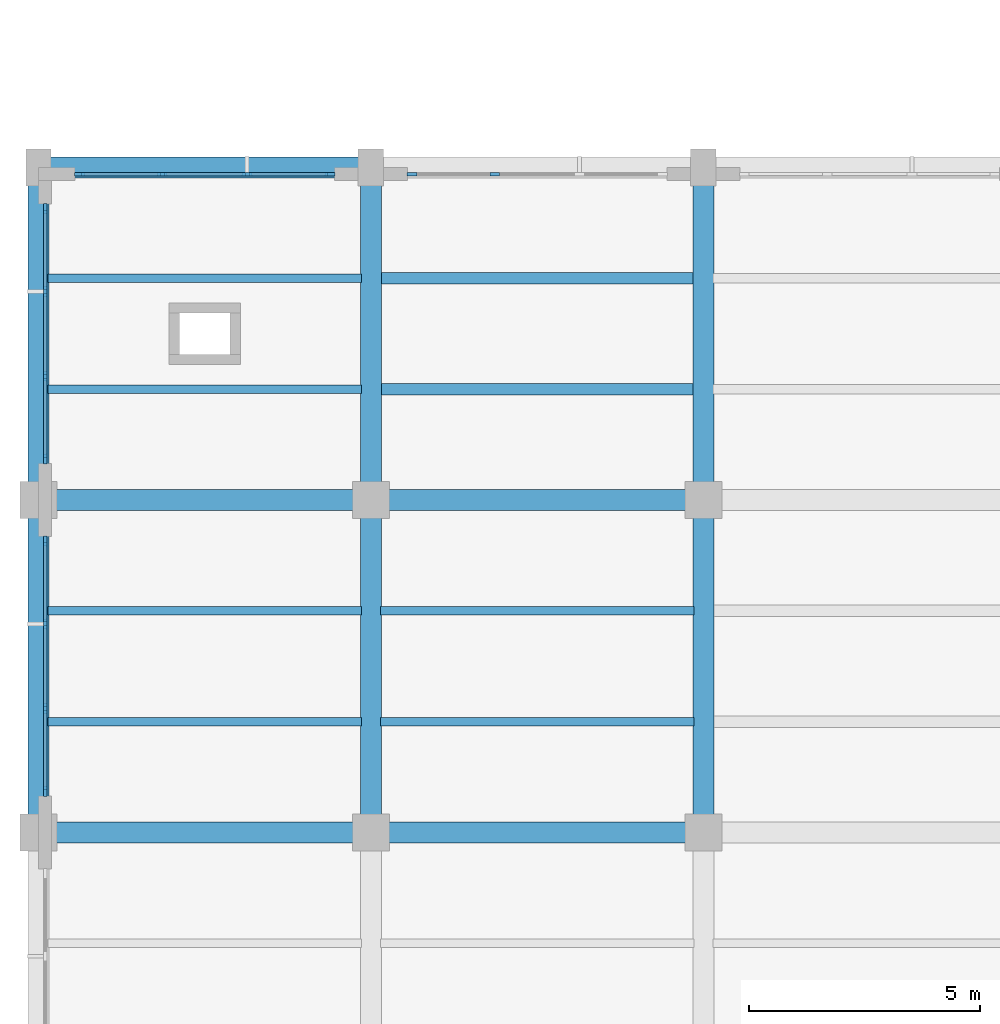
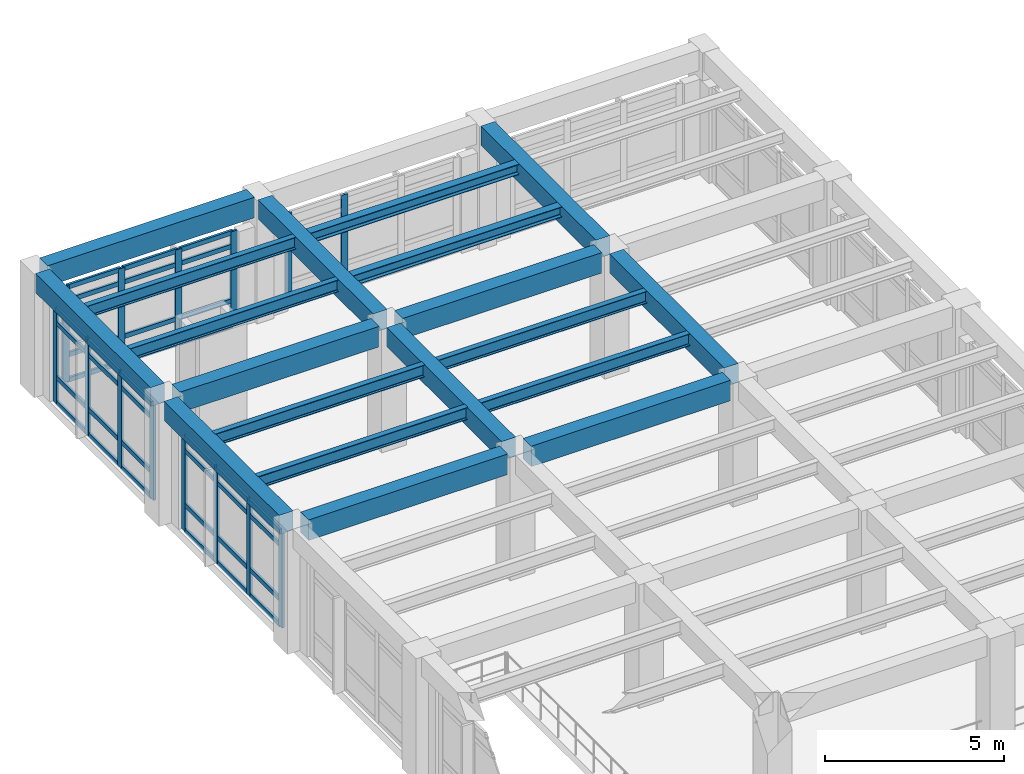
# One storey, part 20 of 67: 50 members, 19 beams, 4 elements without a shape of their own.
"""IFC4 building model written with IfcOpenShell, lengths in metres."""

import ifcopenshell
import ifcopenshell.guid

model = None  # the IFC model being written
_history = None  # IfcOwnerHistory: only IFC2X3 demands one
_inside = {}  # id of a spatial element -> (the spatial element, [elements in it])
_under = {}  # id of a project, library or spatial element -> (it, [spatial elements below it])
_declared = {}  # id of a project -> (the project, [libraries it declares])
_typed = {}  # id of a type object -> (the type object, [elements of that type])
_made_of = {}  # id of a material, layer set ... -> (it, [elements and type objects made of it])


def new_model(schema):
    """Start an empty IFC model of exactly this schema.

    Asked for "IFC4X3", IfcOpenShell would pick the latest addendum, in which some entities
    have other attributes; the version numbers below select the first issue.
    IFC2X3 requires an IfcOwnerHistory on every rooted entity: one is made here for all.
    """
    global model, _history
    if schema == "IFC4X3":
        model = ifcopenshell.file(schema_version=(4, 3, 0, 0))
    else:
        model = ifcopenshell.file(schema=schema)
    _inside.clear()
    _under.clear()
    _declared.clear()
    _typed.clear()
    _made_of.clear()
    _history = None
    if model.schema == "IFC2X3":
        org = make("IfcOrganization", Name="unknown")
        user = make(
            "IfcPersonAndOrganization",
            ThePerson=make("IfcPerson", FamilyName="unknown"),
            TheOrganization=org,
        )
        app = make(
            "IfcApplication",
            ApplicationDeveloper=org,
            Version="unknown",
            ApplicationFullName="unknown",
            ApplicationIdentifier="unknown",
        )
        _history = make(
            "IfcOwnerHistory",
            OwningUser=user,
            OwningApplication=app,
            ChangeAction="ADDED",
            CreationDate=0,
        )
    return model


def make(cls, **values):
    """One entity of the class cls with the attributes given. An attribute that is None is left unset."""
    return model.create_entity(
        cls, **{name: value for name, value in values.items() if value is not None}
    )


def rooted(cls, **values):
    """An entity with a GlobalId (a new one), such as an element, a storey or a relation."""
    return make(cls, GlobalId=ifcopenshell.guid.new(), OwnerHistory=_history, **values)


def si_unit(unit_type, name, prefix=None):
    """IfcSIUnit, for example si_unit("LENGTHUNIT", "METRE", prefix="MILLI")."""
    return make("IfcSIUnit", UnitType=unit_type, Prefix=prefix, Name=name)


def assignment(units):
    """IfcUnitAssignment: the units of a project."""
    return None if units is None else make("IfcUnitAssignment", Units=units)


def point(xyz):
    """IfcCartesianPoint."""
    return None if xyz is None else make("IfcCartesianPoint", Coordinates=xyz)


def direction(xyz):
    """IfcDirection."""
    return None if xyz is None else make("IfcDirection", DirectionRatios=xyz)


def frame(location, z_axis=None, x_axis=None):
    """IfcAxis2Placement3D, a coordinate frame: its origin and axes. An axis left out is left unset."""
    return make(
        "IfcAxis2Placement3D",
        Location=point(location),
        Axis=direction(z_axis),
        RefDirection=direction(x_axis),
    )


def frame_2d(location, x_axis=None):
    """IfcAxis2Placement2D, a coordinate frame in the plane: its origin and x axis."""
    return make(
        "IfcAxis2Placement2D", Location=point(location), RefDirection=direction(x_axis)
    )


def origin():
    """The frame at (0, 0, 0) with its axes left unset."""
    return frame((0.0, 0.0, 0.0))


def origin_2d():
    """The frame at (0, 0) in the plane with its x axis left unset."""
    return frame_2d((0.0, 0.0))


def place(relative_to, where):
    """IfcLocalPlacement: puts the frame where relative to a parent placement (None: the world)."""
    return make(
        "IfcLocalPlacement", PlacementRelTo=relative_to, RelativePlacement=where
    )


def context(
    kind, dimensions, precision=None, world=None, true_north=None, identifier=None
):
    """IfcGeometricRepresentationContext, for example the 3D "Model" context."""
    return make(
        "IfcGeometricRepresentationContext",
        ContextIdentifier=identifier,
        ContextType=kind,
        CoordinateSpaceDimension=dimensions,
        Precision=precision,
        WorldCoordinateSystem=world,
        TrueNorth=true_north,
    )


def subcontext(parent, identifier, kind, view, scale=None):
    """IfcGeometricRepresentationSubContext, for example "Body" below "Model"."""
    return make(
        "IfcGeometricRepresentationSubContext",
        ContextIdentifier=identifier,
        ContextType=kind,
        ParentContext=parent,
        TargetScale=scale,
        TargetView=view,
    )


def project(units=None, contexts=None):
    """IfcProject with its units and contexts."""
    return rooted(
        "IfcProject",
        Name="project",
        RepresentationContexts=contexts,
        UnitsInContext=assignment(units),
    )


def spatial(cls, under=None, at=None, **own):
    """A site, building, storey or space (cls), placed at a placement, below another one or the project."""
    s = rooted(cls, ObjectPlacement=at, **own)
    if under is not None:
        _under.setdefault(under.id(), (under, []))[1].append(s)
    return s


def profile(cls, at=None, kind="AREA", **sizes):
    """A parametric profile (cls). Its sizes go by their IFC names, for example OverallWidth=200.0."""
    return make(cls, ProfileType=kind, Position=at, **sizes)


def rectangle(**sizes):
    """IfcRectangleProfileDef."""
    return profile("IfcRectangleProfileDef", **sizes)


def i_section(**sizes):
    """IfcIShapeProfileDef."""
    return profile("IfcIShapeProfileDef", **sizes)


def extrude(swept, where, along, depth):
    """IfcExtrudedAreaSolid: the profile swept, set in the frame where, extruded along a direction by depth."""
    return make(
        "IfcExtrudedAreaSolid",
        SweptArea=swept,
        Position=where,
        ExtrudedDirection=direction(along),
        Depth=depth,
    )


def shape(context_of_items, identifier, shape_type, items):
    """IfcShapeRepresentation: the items that make up one representation, for example the "Body"."""
    return make(
        "IfcShapeRepresentation",
        ContextOfItems=context_of_items,
        RepresentationIdentifier=identifier,
        RepresentationType=shape_type,
        Items=items,
    )


def material(Name=None, Category=None):
    """IfcMaterial."""
    return make("IfcMaterial", Name=Name, Category=Category)


def layer(
    of_material, thickness, ventilated=None, Name=None, Category=None, Priority=None
):
    """IfcMaterialLayer: one layer of a wall or slab, of a material (None: an air gap)."""
    return make(
        "IfcMaterialLayer",
        Material=of_material,
        LayerThickness=thickness,
        IsVentilated=ventilated,
        Name=Name,
        Category=Category,
        Priority=Priority,
    )


def layer_set(layers, Name=None):
    """IfcMaterialLayerSet."""
    return make("IfcMaterialLayerSet", MaterialLayers=layers, LayerSetName=Name)


def material_profile(
    of_material, cross_section, Name=None, Category=None, Priority=None
):
    """IfcMaterialProfile: a cross section and its material."""
    return make(
        "IfcMaterialProfile",
        Name=Name,
        Material=of_material,
        Profile=cross_section,
        Priority=Priority,
        Category=Category,
    )


def profile_set(profiles, Name=None, composite=None):
    """IfcMaterialProfileSet."""
    return make(
        "IfcMaterialProfileSet",
        Name=Name,
        MaterialProfiles=profiles,
        CompositeProfile=composite,
    )


def made_of(thing, what):
    """Note that an element or type object is made of a material, layer set ...; save() writes the relation."""
    if what is not None:
        _made_of.setdefault(what.id(), (what, []))[1].append(thing)
    return thing


def type_object(cls, material=None, **own):
    """A type object (cls), such as IfcWallType, which elements share."""
    return made_of(rooted(cls, **own), material)


def element(
    cls,
    number,
    at=None,
    inside=None,
    cuts=None,
    type_object=None,
    material=None,
    context=None,
    identifier="Body",
    shape_type=None,
    held_by="IfcProductDefinitionShape",
    body=None,
    shapes=None,
    **own,
):
    """One element of the class cls, such as IfcWall. Its Tag is "e" and its number.

    at: its placement. inside: the storey or other place that contains it. cuts: it is an
    opening in that element (IfcRelVoidsElement). A single representation is given by context,
    identifier, shape_type and body (its items); several are given by shapes. held_by: the class
    of the entity that holds the representations. save() writes the other relations.
    """
    e = rooted(cls, Tag="e%d" % number, ObjectPlacement=at, **own)
    if body is not None:
        shapes = [shape(context, identifier, shape_type, body)]
    if shapes is not None:
        e.Representation = make(held_by, Representations=shapes)
    if inside is not None:
        _inside.setdefault(inside.id(), (inside, []))[1].append(e)
    if cuts is not None:
        rooted(
            "IfcRelVoidsElement", RelatingBuildingElement=cuts, RelatedOpeningElement=e
        )
    if type_object is not None:
        _typed.setdefault(type_object.id(), (type_object, []))[1].append(e)
    return made_of(e, material)


def aggregate(whole, parts):
    """IfcRelAggregates: a whole, such as a stair, and the parts it consists of."""
    return rooted("IfcRelAggregates", RelatingObject=whole, RelatedObjects=parts)


def save(model, path):
    """Write the relations noted so far, then the file.

    IfcRelAggregates (storeys below a building ...), IfcRelContainedInSpatialStructure (elements
    in a storey), IfcRelDefinesByType, IfcRelAssociatesMaterial and IfcRelDeclares: one each for
    every whole, place, type object, material and project.
    """
    for whole, parts in _under.values():
        aggregate(whole, parts)
    for where, things in _inside.values():
        rooted(
            "IfcRelContainedInSpatialStructure",
            RelatedElements=things,
            RelatingStructure=where,
        )
    for kind, things in _typed.values():
        rooted("IfcRelDefinesByType", RelatedObjects=things, RelatingType=kind)
    for what, things in _made_of.values():
        rooted("IfcRelAssociatesMaterial", RelatedObjects=things, RelatingMaterial=what)
    for by, libraries in _declared.values():
        rooted("IfcRelDeclares", RelatingContext=by, RelatedDefinitions=libraries)
    model.write(path)


model = new_model("IFC4")

# Units and contexts
model_context = context("Model", 3, precision=1e-05, world=origin(), true_north=direction((0.0, 1.0)))
body_context = subcontext(model_context, "Body", "Model", "MODEL_VIEW")
ifc_project = project(units=[si_unit("LENGTHUNIT", "METRE"), si_unit("AREAUNIT", "SQUARE_METRE"), si_unit("VOLUMEUNIT", "CUBIC_METRE"), si_unit("PLANEANGLEUNIT", "RADIAN"), si_unit("MASSUNIT", "GRAM", prefix="KILO")], contexts=[model_context])

# Site, building, storey
site_placement = place(None, origin())
site = spatial("IfcSite", under=ifc_project, at=site_placement, CompositionType="ELEMENT")
building_placement = place(site_placement, origin())
building = spatial("IfcBuilding", under=site, at=building_placement, Name="Solenvale Faculty of Natural Sciences", CompositionType="ELEMENT")
storey_placement = place(building_placement, frame((0.0, 0.0, 13.5)))
storey = spatial("IfcBuildingStorey", under=building, at=storey_placement, Name="L03", CompositionType="ELEMENT", Elevation=13.5)

# Beams
ifc_material_1 = material(Name="Concrete 40 MPa", Category="concrete")
ifc_material_profile_1 = material_profile(ifc_material_1, rectangle(XDim=0.449951171875, YDim=0.64990234375, at=origin_2d()), Name="RC-BM-450x650")
ifc_profile_set_1 = profile_set([ifc_material_profile_1], Name="Concrete 40 MPa")
beam_type_1 = type_object("IfcBeamType", Name="BM-RC-450x650", PredefinedType="BEAM", material=ifc_profile_set_1)
for number, where, z_axis, x_axis, name in (
    (1, (36.0, 79.580078125, 3.89501953125), (0.0, 1.0, 0.0), (-1.0, 0.0, 0.0), "L03 Y-Girder X36.0 (79.2..86.4)"),
    (2, (36.0, 86.780029296875, 3.89501953125), (0.0, 1.0, 0.0), (-1.0, 0.0, 0.0), "L03 Y-Girder X36.0 (86.4..93.6)"),
    (3, (43.199951171875, 79.580078125, 3.89501953125), (0.0, 1.0, 0.0), (-1.0, 0.0, 0.0), "L03 Y-Girder X43.2 (79.2..86.4)"),
    (4, (43.199951171875, 86.780029296875, 3.89501953125), (0.0, 1.0, 0.0), (-1.0, 0.0, 0.0), "L03 Y-Girder X43.2 (86.4..93.6)"),
    (5, (50.39990234375, 79.580078125, 3.89501953125), (0.0, 1.0, 0.0), (-1.0, 0.0, 0.0), "L03 Y-Girder X50.4 (79.2..86.4)"),
    (6, (50.39990234375, 86.780029296875, 3.89501953125), (0.0, 1.0, 0.0), (-1.0, 0.0, 0.0), "L03 Y-Girder X50.4 (86.4..93.6)"),
):
    element("IfcBeam", number, at=place(storey_placement, frame(where, z_axis=z_axis, x_axis=x_axis)), inside=storey, type_object=beam_type_1, Name=name, PredefinedType="BEAM", context=body_context, shape_type="SweptSolid", body=[
        extrude(rectangle(XDim=0.449951171875, YDim=0.64990234375, at=origin_2d()), origin(), (0.0, 0.0, 1.0), 6.43994140625),
    ])
ifc_material_profile_2 = material_profile(ifc_material_1, rectangle(XDim=0.449951171875, YDim=0.699951171875, at=origin_2d()), Name="RC-BM-450x700")
ifc_profile_set_2 = profile_set([ifc_material_profile_2], Name="Concrete 40 MPa")
beam_type_2 = type_object("IfcBeamType", Name="BM-RC-450x700", PredefinedType="BEAM", material=ifc_profile_set_2)
beam_1_placement = place(storey_placement, frame((36.3798828125, 79.199951171875, 3.8701171875), z_axis=(1.0, 0.0, 0.0), x_axis=(0.0, 1.0, 0.0)))
element("IfcBeam", 7, at=beam_1_placement, inside=storey, type_object=beam_type_2, Name="L03 X-Girder Y79.2 (36.0..43.2)", PredefinedType="BEAM", context=body_context, shape_type="SweptSolid", body=[
    extrude(rectangle(XDim=0.449951171875, YDim=0.699951171875, at=origin_2d()), origin(), (0.0, 0.0, 1.0), 6.440185546875),
])
beam_2_placement = place(storey_placement, frame((43.580078125, 79.199951171875, 3.8701171875), z_axis=(1.0, 0.0, 0.0), x_axis=(0.0, 1.0, 0.0)))
element("IfcBeam", 8, at=beam_2_placement, inside=storey, type_object=beam_type_2, Name="L03 X-Girder Y79.2 (43.2..50.4)", PredefinedType="BEAM", context=body_context, shape_type="SweptSolid", body=[
    extrude(rectangle(XDim=0.449951171875, YDim=0.699951171875, at=origin_2d()), origin(), (0.0, 0.0, 1.0), 6.43994140625),
])
beam_3_placement = place(storey_placement, frame((36.3798828125, 86.39990234375, 3.8701171875), z_axis=(1.0, 0.0, 0.0), x_axis=(0.0, 1.0, 0.0)))
element("IfcBeam", 9, at=beam_3_placement, inside=storey, type_object=beam_type_2, Name="L03 X-Girder Y86.4 (36.0..43.2)", PredefinedType="BEAM", context=body_context, shape_type="SweptSolid", body=[
    extrude(rectangle(XDim=0.449951171875, YDim=0.699951171875, at=origin_2d()), origin(), (0.0, 0.0, 1.0), 6.440185546875),
])
beam_4_placement = place(storey_placement, frame((43.580078125, 86.39990234375, 3.8701171875), z_axis=(1.0, 0.0, 0.0), x_axis=(0.0, 1.0, 0.0)))
element("IfcBeam", 10, at=beam_4_placement, inside=storey, type_object=beam_type_2, Name="L03 X-Girder Y86.4 (43.2..50.4)", PredefinedType="BEAM", context=body_context, shape_type="SweptSolid", body=[
    extrude(rectangle(XDim=0.449951171875, YDim=0.699951171875, at=origin_2d()), origin(), (0.0, 0.0, 1.0), 6.43994140625),
])
beam_5_placement = place(storey_placement, frame((36.2548828125, 93.60009765625, 3.8701171875), z_axis=(1.0, 0.0, 0.0), x_axis=(0.0, 1.0, 0.0)))
element("IfcBeam", 11, at=beam_5_placement, inside=storey, type_object=beam_type_2, Name="L03 X-Girder Y93.6 (36.0..43.2)", PredefinedType="BEAM", context=body_context, shape_type="SweptSolid", body=[
    extrude(rectangle(XDim=0.449951171875, YDim=0.699951171875, at=origin_2d()), origin(), (0.0, 0.0, 1.0), 6.690185546875),
])
ifc_material_2 = material(Name="Steel S355", Category="steel")
ifc_material_profile_3 = material_profile(ifc_material_2, i_section(OverallWidth=0.2548828125, OverallDepth=0.35693359375, WebThickness=0.010498046875, FlangeThickness=0.018310546875, FilletRadius=0.014892578125, at=origin_2d()), Name="W360x101")
ifc_profile_set_3 = profile_set([ifc_material_profile_3], Name="Steel S355")
beam_type_3 = type_object("IfcBeamType", Name="BM-STL-W360x101", PredefinedType="JOIST", material=ifc_profile_set_3)
for number, where, z_axis, x_axis, name in (
    (12, (43.405029296875, 88.800048828125, 4.04150390625), (1.0, 0.0, 0.0), (0.0, 1.0, 0.0), "L03 Composite Floor Joist (7,13).1"),
    (13, (43.405029296875, 91.199951171875, 4.04150390625), (1.0, 0.0, 0.0), (0.0, 1.0, 0.0), "L03 Composite Floor Joist (7,13).2"),
):
    element("IfcBeam", number, at=place(storey_placement, frame(where, z_axis=z_axis, x_axis=x_axis)), inside=storey, type_object=beam_type_3, Name=name, PredefinedType="JOIST", context=body_context, shape_type="SweptSolid", body=[
        extrude(i_section(OverallWidth=0.2548828125, OverallDepth=0.35693359375, WebThickness=0.010498046875, FlangeThickness=0.018310546875, FilletRadius=0.014892578125, at=origin_2d()), origin(), (0.0, 0.0, 1.0), 6.7900390625),
    ])
ifc_material_profile_4 = material_profile(ifc_material_2, i_section(OverallWidth=0.178955078125, OverallDepth=0.409912109375, WebThickness=0.0087890625, FlangeThickness=0.014404296875, FilletRadius=0.01611328125, at=origin_2d()), Name="W410x67")
ifc_profile_set_4 = profile_set([ifc_material_profile_4], Name="Steel S355")
beam_type_4 = type_object("IfcBeamType", Name="BM-STL-W410x67", PredefinedType="JOIST", material=ifc_profile_set_4)
for number, where, z_axis, x_axis, name in (
    (14, (36.205078125, 88.800048828125, 4.014892578125), (1.0, 0.0, 0.0), (0.0, 1.0, 0.0), "L03 Composite Floor Joist (6,13).1"),
    (15, (36.205078125, 91.199951171875, 4.014892578125), (1.0, 0.0, 0.0), (0.0, 1.0, 0.0), "L03 Composite Floor Joist (6,13).2"),
    (16, (43.405029296875, 81.60009765625, 4.014892578125), (1.0, 0.0, 0.0), (0.0, 1.0, 0.0), "L03 Composite Floor Joist (7,12).1"),
    (17, (43.405029296875, 84.0, 4.014892578125), (1.0, 0.0, 0.0), (0.0, 1.0, 0.0), "L03 Composite Floor Joist (7,12).2"),
):
    element("IfcBeam", number, at=place(storey_placement, frame(where, z_axis=z_axis, x_axis=x_axis)), inside=storey, type_object=beam_type_4, Name=name, PredefinedType="JOIST", context=body_context, shape_type="SweptSolid", body=[
        extrude(i_section(OverallWidth=0.178955078125, OverallDepth=0.409912109375, WebThickness=0.0087890625, FlangeThickness=0.014404296875, FilletRadius=0.01611328125, at=origin_2d()), origin(), (0.0, 0.0, 1.0), 6.7900390625),
    ])
ifc_material_profile_5 = material_profile(ifc_material_2, i_section(OverallWidth=0.180908203125, OverallDepth=0.4169921875, WebThickness=0.010986328125, FlangeThickness=0.018310546875, FilletRadius=0.01611328125, at=origin_2d()), Name="W410x85")
ifc_profile_set_5 = profile_set([ifc_material_profile_5], Name="Steel S355")
beam_type_5 = type_object("IfcBeamType", Name="BM-STL-W410x85", PredefinedType="JOIST", material=ifc_profile_set_5)
for number, where, z_axis, x_axis, name in (
    (18, (36.205078125, 81.60009765625, 4.011474609375), (1.0, 0.0, 0.0), (0.0, 1.0, 0.0), "L03 Composite Floor Joist (6,12).1"),
    (19, (36.205078125, 84.0, 4.011474609375), (1.0, 0.0, 0.0), (0.0, 1.0, 0.0), "L03 Composite Floor Joist (6,12).2"),
):
    element("IfcBeam", number, at=place(storey_placement, frame(where, z_axis=z_axis, x_axis=x_axis)), inside=storey, type_object=beam_type_5, Name=name, PredefinedType="JOIST", context=body_context, shape_type="SweptSolid", body=[
        extrude(i_section(OverallWidth=0.180908203125, OverallDepth=0.4169921875, WebThickness=0.010986328125, FlangeThickness=0.018310546875, FilletRadius=0.01611328125, at=origin_2d()), origin(), (0.0, 0.0, 1.0), 6.7900390625),
    ])

# Curtain wall, members
ifc_material_3 = material(Name="Anodised bronze aluminium", Category="aluminium")
ifc_layer = layer(ifc_material_3, 0.215087890625)
ifc_layer_set = layer_set([ifc_layer], Name="Anodised bronze aluminium")
curtain_wall_type = type_object("IfcCurtainWallType", Name="CW-ATR-UNIT", PredefinedType="USERDEFINED", material=ifc_layer_set)
curtain_wall_1_placement = place(storey_placement, origin())
curtain_wall_1 = element("IfcCurtainWall", 20, at=curtain_wall_1_placement, inside=storey, type_object=curtain_wall_type, Name="L03 Curtain Wall CW-L03-P1-E2-B2", ObjectType="UNITISED CURTAIN WALL", PredefinedType="USERDEFINED")
ifc_material_profile_6 = material_profile(ifc_material_3, rectangle(XDim=0.074951171875, YDim=0.2099609375, at=origin_2d()), Name="ALU-MUL-75x210")
ifc_profile_set_6 = profile_set([ifc_material_profile_6], Name="Anodised bronze aluminium")
member_type_1 = type_object("IfcMemberType", Name="CWM-ALU-75x210", PredefinedType="MULLION", material=ifc_profile_set_6)
member_1_placement = place(storey_placement, frame((45.88330078125, 93.45751953125, 0.0), z_axis=(0.0, 0.0, 1.0), x_axis=(0.0, -1.0, 0.0)))
member_1 = element("IfcMember", 21, at=member_1_placement, type_object=member_type_1, Name="CW-01 mullion 3", PredefinedType="MULLION", context=body_context, shape_type="SweptSolid", body=[
    extrude(rectangle(XDim=0.074951171875, YDim=0.2099609375, at=origin_2d()), origin(), (0.0, 0.0, 1.0), 3.260009765625),
])
member_2_placement = place(storey_placement, frame((44.08740234375, 93.45751953125, 0.0), z_axis=(0.0, 0.0, 1.0), x_axis=(0.0, -1.0, 0.0)))
member_2 = element("IfcMember", 22, at=member_2_placement, type_object=member_type_1, Name="CW-01 mullion 4", PredefinedType="MULLION", context=body_context, shape_type="SweptSolid", body=[
    extrude(rectangle(XDim=0.074951171875, YDim=0.2099609375, at=origin_2d()), origin(), (0.0, 0.0, 1.0), 3.260009765625),
])
aggregate(curtain_wall_1, [member_1, member_2])

curtain_wall_2_placement = place(storey_placement, origin())
curtain_wall_2 = element("IfcCurtainWall", 23, at=curtain_wall_2_placement, inside=storey, type_object=curtain_wall_type, Name="L03 Curtain Wall CW-L03-P1-E2-B3", ObjectType="UNITISED CURTAIN WALL", PredefinedType="USERDEFINED")
member_3_placement = place(storey_placement, frame((42.3125, 93.45751953125, 0.0), z_axis=(0.0, 0.0, 1.0), x_axis=(0.0, -1.0, 0.0)))
member_3 = element("IfcMember", 24, at=member_3_placement, type_object=member_type_1, Name="CW-01 mullion 1", PredefinedType="MULLION", context=body_context, shape_type="SweptSolid", body=[
    extrude(rectangle(XDim=0.074951171875, YDim=0.2099609375, at=origin_2d()), origin(), (0.0, 0.0, 1.0), 3.260009765625),
])
member_4_placement = place(storey_placement, frame((40.5166015625, 93.45751953125, 0.0), z_axis=(0.0, 0.0, 1.0), x_axis=(0.0, -1.0, 0.0)))
member_4 = element("IfcMember", 25, at=member_4_placement, type_object=member_type_1, Name="CW-01 mullion 2", PredefinedType="MULLION", context=body_context, shape_type="SweptSolid", body=[
    extrude(rectangle(XDim=0.074951171875, YDim=0.2099609375, at=origin_2d()), origin(), (0.0, 0.0, 1.0), 3.260009765625),
])
member_5_placement = place(storey_placement, frame((38.683349609375, 93.45751953125, 0.0), z_axis=(0.0, 0.0, 1.0), x_axis=(0.0, -1.0, 0.0)))
member_5 = element("IfcMember", 26, at=member_5_placement, type_object=member_type_1, Name="CW-01 mullion 3", PredefinedType="MULLION", context=body_context, shape_type="SweptSolid", body=[
    extrude(rectangle(XDim=0.074951171875, YDim=0.2099609375, at=origin_2d()), origin(), (0.0, 0.0, 1.0), 3.260009765625),
])
member_6_placement = place(storey_placement, frame((36.887451171875, 93.45751953125, 0.0), z_axis=(0.0, 0.0, 1.0), x_axis=(0.0, -1.0, 0.0)))
member_6 = element("IfcMember", 27, at=member_6_placement, type_object=member_type_1, Name="CW-01 mullion 4", PredefinedType="MULLION", context=body_context, shape_type="SweptSolid", body=[
    extrude(rectangle(XDim=0.074951171875, YDim=0.2099609375, at=origin_2d()), origin(), (0.0, 0.0, 1.0), 3.260009765625),
])

curtain_wall_3_placement = place(storey_placement, origin())
curtain_wall_3 = element("IfcCurtainWall", 28, at=curtain_wall_3_placement, inside=storey, type_object=curtain_wall_type, Name="L03 Curtain Wall CW-L03-P1-E3-B1", ObjectType="UNITISED CURTAIN WALL", PredefinedType="USERDEFINED")
member_7_placement = place(storey_placement, frame((36.142578125, 92.71240234375, 0.0), z_axis=(0.0, 0.0, 1.0), x_axis=(1.0, 0.0, 0.0)))
member_7 = element("IfcMember", 29, at=member_7_placement, type_object=member_type_1, Name="CW-01 mullion 1", PredefinedType="MULLION", context=body_context, shape_type="SweptSolid", body=[
    extrude(rectangle(XDim=0.074951171875, YDim=0.2099609375, at=origin_2d()), origin(), (0.0, 0.0, 1.0), 3.260009765625),
])
member_8_placement = place(storey_placement, frame((36.142578125, 90.916748046875, 0.0), z_axis=(0.0, 0.0, 1.0), x_axis=(1.0, 0.0, 0.0)))
member_8 = element("IfcMember", 30, at=member_8_placement, type_object=member_type_1, Name="CW-01 mullion 2", PredefinedType="MULLION", context=body_context, shape_type="SweptSolid", body=[
    extrude(rectangle(XDim=0.074951171875, YDim=0.2099609375, at=origin_2d()), origin(), (0.0, 0.0, 1.0), 3.260009765625),
])
member_9_placement = place(storey_placement, frame((36.142578125, 89.083251953125, 0.0), z_axis=(0.0, 0.0, 1.0), x_axis=(1.0, 0.0, 0.0)))
member_9 = element("IfcMember", 31, at=member_9_placement, type_object=member_type_1, Name="CW-01 mullion 3", PredefinedType="MULLION", context=body_context, shape_type="SweptSolid", body=[
    extrude(rectangle(XDim=0.074951171875, YDim=0.2099609375, at=origin_2d()), origin(), (0.0, 0.0, 1.0), 3.260009765625),
])
member_10_placement = place(storey_placement, frame((36.142578125, 87.28759765625, 0.0), z_axis=(0.0, 0.0, 1.0), x_axis=(1.0, 0.0, 0.0)))
member_10 = element("IfcMember", 32, at=member_10_placement, type_object=member_type_1, Name="CW-01 mullion 4", PredefinedType="MULLION", context=body_context, shape_type="SweptSolid", body=[
    extrude(rectangle(XDim=0.074951171875, YDim=0.2099609375, at=origin_2d()), origin(), (0.0, 0.0, 1.0), 3.260009765625),
])

curtain_wall_4_placement = place(storey_placement, origin())
curtain_wall_4 = element("IfcCurtainWall", 33, at=curtain_wall_4_placement, inside=storey, type_object=curtain_wall_type, Name="L03 Curtain Wall CW-L03-P1-E3-B2", ObjectType="UNITISED CURTAIN WALL", PredefinedType="USERDEFINED")
member_11_placement = place(storey_placement, frame((36.142578125, 85.512451171875, 0.0), z_axis=(0.0, 0.0, 1.0), x_axis=(1.0, 0.0, 0.0)))
member_11 = element("IfcMember", 34, at=member_11_placement, type_object=member_type_1, Name="CW-01 mullion 1", PredefinedType="MULLION", context=body_context, shape_type="SweptSolid", body=[
    extrude(rectangle(XDim=0.074951171875, YDim=0.2099609375, at=origin_2d()), origin(), (0.0, 0.0, 1.0), 3.260009765625),
])
member_12_placement = place(storey_placement, frame((36.142578125, 83.716552734375, 0.0), z_axis=(0.0, 0.0, 1.0), x_axis=(1.0, 0.0, 0.0)))
member_12 = element("IfcMember", 35, at=member_12_placement, type_object=member_type_1, Name="CW-01 mullion 2", PredefinedType="MULLION", context=body_context, shape_type="SweptSolid", body=[
    extrude(rectangle(XDim=0.074951171875, YDim=0.2099609375, at=origin_2d()), origin(), (0.0, 0.0, 1.0), 3.260009765625),
])
member_13_placement = place(storey_placement, frame((36.142578125, 81.88330078125, 0.0), z_axis=(0.0, 0.0, 1.0), x_axis=(1.0, 0.0, 0.0)))
member_13 = element("IfcMember", 36, at=member_13_placement, type_object=member_type_1, Name="CW-01 mullion 3", PredefinedType="MULLION", context=body_context, shape_type="SweptSolid", body=[
    extrude(rectangle(XDim=0.074951171875, YDim=0.2099609375, at=origin_2d()), origin(), (0.0, 0.0, 1.0), 3.260009765625),
])
member_14_placement = place(storey_placement, frame((36.142578125, 80.08740234375, 0.0), z_axis=(0.0, 0.0, 1.0), x_axis=(1.0, 0.0, 0.0)))
member_14 = element("IfcMember", 37, at=member_14_placement, type_object=member_type_1, Name="CW-01 mullion 4", PredefinedType="MULLION", context=body_context, shape_type="SweptSolid", body=[
    extrude(rectangle(XDim=0.074951171875, YDim=0.2099609375, at=origin_2d()), origin(), (0.0, 0.0, 1.0), 3.260009765625),
])

# Member
ifc_material_profile_7 = material_profile(ifc_material_3, rectangle(XDim=0.074951171875, YDim=0.155029296875, at=origin_2d()), Name="ALU-TRN-75x155")
ifc_profile_set_7 = profile_set([ifc_material_profile_7], Name="Anodised bronze aluminium")
member_type_2 = type_object("IfcMemberType", Name="CWT-ALU-75x155", PredefinedType="USERDEFINED", material=ifc_profile_set_7)
member_15_placement = place(storey_placement, frame((42.27490234375, 93.45751953125, 0.03759765625), z_axis=(-1.0, 0.0, 0.0), x_axis=(0.0, -1.0, 0.0)))
member_15 = element("IfcMember", 38, at=member_15_placement, type_object=member_type_2, Name="CW-01 transom 1.1", ObjectType="TRANSOM", PredefinedType="USERDEFINED", context=body_context, shape_type="SweptSolid", body=[
    extrude(rectangle(XDim=0.074951171875, YDim=0.155029296875, at=origin_2d()), origin(), (0.0, 0.0, 1.0), 1.720703125),
])

member_16_placement = place(storey_placement, frame((42.27490234375, 93.45751953125, 0.89990234375), z_axis=(-1.0, 0.0, 0.0), x_axis=(0.0, -1.0, 0.0)))
member_16 = element("IfcMember", 39, at=member_16_placement, type_object=member_type_2, Name="CW-01 transom 1.2", ObjectType="TRANSOM", PredefinedType="USERDEFINED", context=body_context, shape_type="SweptSolid", body=[
    extrude(rectangle(XDim=0.074951171875, YDim=0.155029296875, at=origin_2d()), origin(), (0.0, 0.0, 1.0), 1.720703125),
])

member_17_placement = place(storey_placement, frame((42.27490234375, 93.45751953125, 2.760009765625), z_axis=(-1.0, 0.0, 0.0), x_axis=(0.0, -1.0, 0.0)))
member_17 = element("IfcMember", 40, at=member_17_placement, type_object=member_type_2, Name="CW-01 transom 1.3", ObjectType="TRANSOM", PredefinedType="USERDEFINED", context=body_context, shape_type="SweptSolid", body=[
    extrude(rectangle(XDim=0.074951171875, YDim=0.155029296875, at=origin_2d()), origin(), (0.0, 0.0, 1.0), 1.720703125),
])

member_18_placement = place(storey_placement, frame((42.27490234375, 93.45751953125, 3.222412109375), z_axis=(-1.0, 0.0, 0.0), x_axis=(0.0, -1.0, 0.0)))
member_18 = element("IfcMember", 41, at=member_18_placement, type_object=member_type_2, Name="CW-01 transom 1.4", ObjectType="TRANSOM", PredefinedType="USERDEFINED", context=body_context, shape_type="SweptSolid", body=[
    extrude(rectangle(XDim=0.074951171875, YDim=0.155029296875, at=origin_2d()), origin(), (0.0, 0.0, 1.0), 1.720703125),
])

member_19_placement = place(storey_placement, frame((40.479248046875, 93.45751953125, 0.03759765625), z_axis=(-1.0, 0.0, 0.0), x_axis=(0.0, -1.0, 0.0)))
member_19 = element("IfcMember", 42, at=member_19_placement, type_object=member_type_2, Name="CW-01 transom 2.1", ObjectType="TRANSOM", PredefinedType="USERDEFINED", context=body_context, shape_type="SweptSolid", body=[
    extrude(rectangle(XDim=0.074951171875, YDim=0.155029296875, at=origin_2d()), origin(), (0.0, 0.0, 1.0), 1.75830078125),
])

member_20_placement = place(storey_placement, frame((40.479248046875, 93.45751953125, 0.89990234375), z_axis=(-1.0, 0.0, 0.0), x_axis=(0.0, -1.0, 0.0)))
member_20 = element("IfcMember", 43, at=member_20_placement, type_object=member_type_2, Name="CW-01 transom 2.2", ObjectType="TRANSOM", PredefinedType="USERDEFINED", context=body_context, shape_type="SweptSolid", body=[
    extrude(rectangle(XDim=0.074951171875, YDim=0.155029296875, at=origin_2d()), origin(), (0.0, 0.0, 1.0), 1.75830078125),
])

member_21_placement = place(storey_placement, frame((40.479248046875, 93.45751953125, 2.760009765625), z_axis=(-1.0, 0.0, 0.0), x_axis=(0.0, -1.0, 0.0)))
member_21 = element("IfcMember", 44, at=member_21_placement, type_object=member_type_2, Name="CW-01 transom 2.3", ObjectType="TRANSOM", PredefinedType="USERDEFINED", context=body_context, shape_type="SweptSolid", body=[
    extrude(rectangle(XDim=0.074951171875, YDim=0.155029296875, at=origin_2d()), origin(), (0.0, 0.0, 1.0), 1.75830078125),
])

member_22_placement = place(storey_placement, frame((40.479248046875, 93.45751953125, 3.222412109375), z_axis=(-1.0, 0.0, 0.0), x_axis=(0.0, -1.0, 0.0)))
member_22 = element("IfcMember", 45, at=member_22_placement, type_object=member_type_2, Name="CW-01 transom 2.4", ObjectType="TRANSOM", PredefinedType="USERDEFINED", context=body_context, shape_type="SweptSolid", body=[
    extrude(rectangle(XDim=0.074951171875, YDim=0.155029296875, at=origin_2d()), origin(), (0.0, 0.0, 1.0), 1.75830078125),
])

member_23_placement = place(storey_placement, frame((38.645751953125, 93.45751953125, 0.03759765625), z_axis=(-1.0, 0.0, 0.0), x_axis=(0.0, -1.0, 0.0)))
member_23 = element("IfcMember", 46, at=member_23_placement, type_object=member_type_2, Name="CW-01 transom 3.1", ObjectType="TRANSOM", PredefinedType="USERDEFINED", context=body_context, shape_type="SweptSolid", body=[
    extrude(rectangle(XDim=0.074951171875, YDim=0.155029296875, at=origin_2d()), origin(), (0.0, 0.0, 1.0), 1.720703125),
])

member_24_placement = place(storey_placement, frame((38.645751953125, 93.45751953125, 0.89990234375), z_axis=(-1.0, 0.0, 0.0), x_axis=(0.0, -1.0, 0.0)))
member_24 = element("IfcMember", 47, at=member_24_placement, type_object=member_type_2, Name="CW-01 transom 3.2", ObjectType="TRANSOM", PredefinedType="USERDEFINED", context=body_context, shape_type="SweptSolid", body=[
    extrude(rectangle(XDim=0.074951171875, YDim=0.155029296875, at=origin_2d()), origin(), (0.0, 0.0, 1.0), 1.720703125),
])

member_25_placement = place(storey_placement, frame((38.645751953125, 93.45751953125, 2.760009765625), z_axis=(-1.0, 0.0, 0.0), x_axis=(0.0, -1.0, 0.0)))
member_25 = element("IfcMember", 48, at=member_25_placement, type_object=member_type_2, Name="CW-01 transom 3.3", ObjectType="TRANSOM", PredefinedType="USERDEFINED", context=body_context, shape_type="SweptSolid", body=[
    extrude(rectangle(XDim=0.074951171875, YDim=0.155029296875, at=origin_2d()), origin(), (0.0, 0.0, 1.0), 1.720703125),
])

member_26_placement = place(storey_placement, frame((38.645751953125, 93.45751953125, 3.222412109375), z_axis=(-1.0, 0.0, 0.0), x_axis=(0.0, -1.0, 0.0)))
member_26 = element("IfcMember", 49, at=member_26_placement, type_object=member_type_2, Name="CW-01 transom 3.4", ObjectType="TRANSOM", PredefinedType="USERDEFINED", context=body_context, shape_type="SweptSolid", body=[
    extrude(rectangle(XDim=0.074951171875, YDim=0.155029296875, at=origin_2d()), origin(), (0.0, 0.0, 1.0), 1.720703125),
])

aggregate(curtain_wall_2, [member_3, member_4, member_5, member_6, member_15, member_16, member_17, member_18, member_19, member_20, member_21, member_22, member_23, member_24, member_25, member_26])

member_27_placement = place(storey_placement, frame((36.142578125, 92.675048828125, 0.03759765625), z_axis=(0.0, -1.0, 0.0), x_axis=(1.0, 0.0, 0.0)))
member_27 = element("IfcMember", 50, at=member_27_placement, type_object=member_type_2, Name="CW-01 transom 1.1", ObjectType="TRANSOM", PredefinedType="USERDEFINED", context=body_context, shape_type="SweptSolid", body=[
    extrude(rectangle(XDim=0.074951171875, YDim=0.155029296875, at=origin_2d()), origin(), (0.0, 0.0, 1.0), 1.720947265625),
])

member_28_placement = place(storey_placement, frame((36.142578125, 92.675048828125, 0.89990234375), z_axis=(0.0, -1.0, 0.0), x_axis=(1.0, 0.0, 0.0)))
member_28 = element("IfcMember", 51, at=member_28_placement, type_object=member_type_2, Name="CW-01 transom 1.2", ObjectType="TRANSOM", PredefinedType="USERDEFINED", context=body_context, shape_type="SweptSolid", body=[
    extrude(rectangle(XDim=0.074951171875, YDim=0.155029296875, at=origin_2d()), origin(), (0.0, 0.0, 1.0), 1.720947265625),
])

member_29_placement = place(storey_placement, frame((36.142578125, 92.675048828125, 2.760009765625), z_axis=(0.0, -1.0, 0.0), x_axis=(1.0, 0.0, 0.0)))
member_29 = element("IfcMember", 52, at=member_29_placement, type_object=member_type_2, Name="CW-01 transom 1.3", ObjectType="TRANSOM", PredefinedType="USERDEFINED", context=body_context, shape_type="SweptSolid", body=[
    extrude(rectangle(XDim=0.074951171875, YDim=0.155029296875, at=origin_2d()), origin(), (0.0, 0.0, 1.0), 1.720947265625),
])

member_30_placement = place(storey_placement, frame((36.142578125, 92.675048828125, 3.222412109375), z_axis=(0.0, -1.0, 0.0), x_axis=(1.0, 0.0, 0.0)))
member_30 = element("IfcMember", 53, at=member_30_placement, type_object=member_type_2, Name="CW-01 transom 1.4", ObjectType="TRANSOM", PredefinedType="USERDEFINED", context=body_context, shape_type="SweptSolid", body=[
    extrude(rectangle(XDim=0.074951171875, YDim=0.155029296875, at=origin_2d()), origin(), (0.0, 0.0, 1.0), 1.720947265625),
])

member_31_placement = place(storey_placement, frame((36.142578125, 90.879150390625, 0.03759765625), z_axis=(0.0, -1.0, 0.0), x_axis=(1.0, 0.0, 0.0)))
member_31 = element("IfcMember", 54, at=member_31_placement, type_object=member_type_2, Name="CW-01 transom 2.1", ObjectType="TRANSOM", PredefinedType="USERDEFINED", context=body_context, shape_type="SweptSolid", body=[
    extrude(rectangle(XDim=0.074951171875, YDim=0.155029296875, at=origin_2d()), origin(), (0.0, 0.0, 1.0), 1.75830078125),
])

member_32_placement = place(storey_placement, frame((36.142578125, 90.879150390625, 0.89990234375), z_axis=(0.0, -1.0, 0.0), x_axis=(1.0, 0.0, 0.0)))
member_32 = element("IfcMember", 55, at=member_32_placement, type_object=member_type_2, Name="CW-01 transom 2.2", ObjectType="TRANSOM", PredefinedType="USERDEFINED", context=body_context, shape_type="SweptSolid", body=[
    extrude(rectangle(XDim=0.074951171875, YDim=0.155029296875, at=origin_2d()), origin(), (0.0, 0.0, 1.0), 1.75830078125),
])

member_33_placement = place(storey_placement, frame((36.142578125, 90.879150390625, 2.760009765625), z_axis=(0.0, -1.0, 0.0), x_axis=(1.0, 0.0, 0.0)))
member_33 = element("IfcMember", 56, at=member_33_placement, type_object=member_type_2, Name="CW-01 transom 2.3", ObjectType="TRANSOM", PredefinedType="USERDEFINED", context=body_context, shape_type="SweptSolid", body=[
    extrude(rectangle(XDim=0.074951171875, YDim=0.155029296875, at=origin_2d()), origin(), (0.0, 0.0, 1.0), 1.75830078125),
])

member_34_placement = place(storey_placement, frame((36.142578125, 90.879150390625, 3.222412109375), z_axis=(0.0, -1.0, 0.0), x_axis=(1.0, 0.0, 0.0)))
member_34 = element("IfcMember", 57, at=member_34_placement, type_object=member_type_2, Name="CW-01 transom 2.4", ObjectType="TRANSOM", PredefinedType="USERDEFINED", context=body_context, shape_type="SweptSolid", body=[
    extrude(rectangle(XDim=0.074951171875, YDim=0.155029296875, at=origin_2d()), origin(), (0.0, 0.0, 1.0), 1.75830078125),
])

member_35_placement = place(storey_placement, frame((36.142578125, 89.0458984375, 0.03759765625), z_axis=(0.0, -1.0, 0.0), x_axis=(1.0, 0.0, 0.0)))
member_35 = element("IfcMember", 58, at=member_35_placement, type_object=member_type_2, Name="CW-01 transom 3.1", ObjectType="TRANSOM", PredefinedType="USERDEFINED", context=body_context, shape_type="SweptSolid", body=[
    extrude(rectangle(XDim=0.074951171875, YDim=0.155029296875, at=origin_2d()), origin(), (0.0, 0.0, 1.0), 1.720947265625),
])

member_36_placement = place(storey_placement, frame((36.142578125, 89.0458984375, 0.89990234375), z_axis=(0.0, -1.0, 0.0), x_axis=(1.0, 0.0, 0.0)))
member_36 = element("IfcMember", 59, at=member_36_placement, type_object=member_type_2, Name="CW-01 transom 3.2", ObjectType="TRANSOM", PredefinedType="USERDEFINED", context=body_context, shape_type="SweptSolid", body=[
    extrude(rectangle(XDim=0.074951171875, YDim=0.155029296875, at=origin_2d()), origin(), (0.0, 0.0, 1.0), 1.720947265625),
])

member_37_placement = place(storey_placement, frame((36.142578125, 89.0458984375, 2.760009765625), z_axis=(0.0, -1.0, 0.0), x_axis=(1.0, 0.0, 0.0)))
member_37 = element("IfcMember", 60, at=member_37_placement, type_object=member_type_2, Name="CW-01 transom 3.3", ObjectType="TRANSOM", PredefinedType="USERDEFINED", context=body_context, shape_type="SweptSolid", body=[
    extrude(rectangle(XDim=0.074951171875, YDim=0.155029296875, at=origin_2d()), origin(), (0.0, 0.0, 1.0), 1.720947265625),
])

member_38_placement = place(storey_placement, frame((36.142578125, 89.0458984375, 3.222412109375), z_axis=(0.0, -1.0, 0.0), x_axis=(1.0, 0.0, 0.0)))
member_38 = element("IfcMember", 61, at=member_38_placement, type_object=member_type_2, Name="CW-01 transom 3.4", ObjectType="TRANSOM", PredefinedType="USERDEFINED", context=body_context, shape_type="SweptSolid", body=[
    extrude(rectangle(XDim=0.074951171875, YDim=0.155029296875, at=origin_2d()), origin(), (0.0, 0.0, 1.0), 1.720947265625),
])

aggregate(curtain_wall_3, [member_7, member_8, member_9, member_10, member_27, member_28, member_29, member_30, member_31, member_32, member_33, member_34, member_35, member_36, member_37, member_38])

member_39_placement = place(storey_placement, frame((36.142578125, 85.47509765625, 0.03759765625), z_axis=(0.0, -1.0, 0.0), x_axis=(1.0, 0.0, 0.0)))
member_39 = element("IfcMember", 62, at=member_39_placement, type_object=member_type_2, Name="CW-01 transom 1.1", ObjectType="TRANSOM", PredefinedType="USERDEFINED", context=body_context, shape_type="SweptSolid", body=[
    extrude(rectangle(XDim=0.074951171875, YDim=0.155029296875, at=origin_2d()), origin(), (0.0, 0.0, 1.0), 1.720947265625),
])

member_40_placement = place(storey_placement, frame((36.142578125, 85.47509765625, 0.89990234375), z_axis=(0.0, -1.0, 0.0), x_axis=(1.0, 0.0, 0.0)))
member_40 = element("IfcMember", 63, at=member_40_placement, type_object=member_type_2, Name="CW-01 transom 1.2", ObjectType="TRANSOM", PredefinedType="USERDEFINED", context=body_context, shape_type="SweptSolid", body=[
    extrude(rectangle(XDim=0.074951171875, YDim=0.155029296875, at=origin_2d()), origin(), (0.0, 0.0, 1.0), 1.720947265625),
])

member_41_placement = place(storey_placement, frame((36.142578125, 85.47509765625, 2.760009765625), z_axis=(0.0, -1.0, 0.0), x_axis=(1.0, 0.0, 0.0)))
member_41 = element("IfcMember", 64, at=member_41_placement, type_object=member_type_2, Name="CW-01 transom 1.3", ObjectType="TRANSOM", PredefinedType="USERDEFINED", context=body_context, shape_type="SweptSolid", body=[
    extrude(rectangle(XDim=0.074951171875, YDim=0.155029296875, at=origin_2d()), origin(), (0.0, 0.0, 1.0), 1.720947265625),
])

member_42_placement = place(storey_placement, frame((36.142578125, 85.47509765625, 3.222412109375), z_axis=(0.0, -1.0, 0.0), x_axis=(1.0, 0.0, 0.0)))
member_42 = element("IfcMember", 65, at=member_42_placement, type_object=member_type_2, Name="CW-01 transom 1.4", ObjectType="TRANSOM", PredefinedType="USERDEFINED", context=body_context, shape_type="SweptSolid", body=[
    extrude(rectangle(XDim=0.074951171875, YDim=0.155029296875, at=origin_2d()), origin(), (0.0, 0.0, 1.0), 1.720947265625),
])

member_43_placement = place(storey_placement, frame((36.142578125, 83.67919921875, 0.03759765625), z_axis=(0.0, -1.0, 0.0), x_axis=(1.0, 0.0, 0.0)))
member_43 = element("IfcMember", 66, at=member_43_placement, type_object=member_type_2, Name="CW-01 transom 2.1", ObjectType="TRANSOM", PredefinedType="USERDEFINED", context=body_context, shape_type="SweptSolid", body=[
    extrude(rectangle(XDim=0.074951171875, YDim=0.155029296875, at=origin_2d()), origin(), (0.0, 0.0, 1.0), 1.75830078125),
])

member_44_placement = place(storey_placement, frame((36.142578125, 83.67919921875, 0.89990234375), z_axis=(0.0, -1.0, 0.0), x_axis=(1.0, 0.0, 0.0)))
member_44 = element("IfcMember", 67, at=member_44_placement, type_object=member_type_2, Name="CW-01 transom 2.2", ObjectType="TRANSOM", PredefinedType="USERDEFINED", context=body_context, shape_type="SweptSolid", body=[
    extrude(rectangle(XDim=0.074951171875, YDim=0.155029296875, at=origin_2d()), origin(), (0.0, 0.0, 1.0), 1.75830078125),
])

member_45_placement = place(storey_placement, frame((36.142578125, 83.67919921875, 2.760009765625), z_axis=(0.0, -1.0, 0.0), x_axis=(1.0, 0.0, 0.0)))
member_45 = element("IfcMember", 68, at=member_45_placement, type_object=member_type_2, Name="CW-01 transom 2.3", ObjectType="TRANSOM", PredefinedType="USERDEFINED", context=body_context, shape_type="SweptSolid", body=[
    extrude(rectangle(XDim=0.074951171875, YDim=0.155029296875, at=origin_2d()), origin(), (0.0, 0.0, 1.0), 1.75830078125),
])

member_46_placement = place(storey_placement, frame((36.142578125, 83.67919921875, 3.222412109375), z_axis=(0.0, -1.0, 0.0), x_axis=(1.0, 0.0, 0.0)))
member_46 = element("IfcMember", 69, at=member_46_placement, type_object=member_type_2, Name="CW-01 transom 2.4", ObjectType="TRANSOM", PredefinedType="USERDEFINED", context=body_context, shape_type="SweptSolid", body=[
    extrude(rectangle(XDim=0.074951171875, YDim=0.155029296875, at=origin_2d()), origin(), (0.0, 0.0, 1.0), 1.75830078125),
])

member_47_placement = place(storey_placement, frame((36.142578125, 81.845947265625, 0.03759765625), z_axis=(0.0, -1.0, 0.0), x_axis=(1.0, 0.0, 0.0)))
member_47 = element("IfcMember", 70, at=member_47_placement, type_object=member_type_2, Name="CW-01 transom 3.1", ObjectType="TRANSOM", PredefinedType="USERDEFINED", context=body_context, shape_type="SweptSolid", body=[
    extrude(rectangle(XDim=0.074951171875, YDim=0.155029296875, at=origin_2d()), origin(), (0.0, 0.0, 1.0), 1.720947265625),
])

member_48_placement = place(storey_placement, frame((36.142578125, 81.845947265625, 0.89990234375), z_axis=(0.0, -1.0, 0.0), x_axis=(1.0, 0.0, 0.0)))
member_48 = element("IfcMember", 71, at=member_48_placement, type_object=member_type_2, Name="CW-01 transom 3.2", ObjectType="TRANSOM", PredefinedType="USERDEFINED", context=body_context, shape_type="SweptSolid", body=[
    extrude(rectangle(XDim=0.074951171875, YDim=0.155029296875, at=origin_2d()), origin(), (0.0, 0.0, 1.0), 1.720947265625),
])

member_49_placement = place(storey_placement, frame((36.142578125, 81.845947265625, 2.760009765625), z_axis=(0.0, -1.0, 0.0), x_axis=(1.0, 0.0, 0.0)))
member_49 = element("IfcMember", 72, at=member_49_placement, type_object=member_type_2, Name="CW-01 transom 3.3", ObjectType="TRANSOM", PredefinedType="USERDEFINED", context=body_context, shape_type="SweptSolid", body=[
    extrude(rectangle(XDim=0.074951171875, YDim=0.155029296875, at=origin_2d()), origin(), (0.0, 0.0, 1.0), 1.720947265625),
])

member_50_placement = place(storey_placement, frame((36.142578125, 81.845947265625, 3.222412109375), z_axis=(0.0, -1.0, 0.0), x_axis=(1.0, 0.0, 0.0)))
member_50 = element("IfcMember", 73, at=member_50_placement, type_object=member_type_2, Name="CW-01 transom 3.4", ObjectType="TRANSOM", PredefinedType="USERDEFINED", context=body_context, shape_type="SweptSolid", body=[
    extrude(rectangle(XDim=0.074951171875, YDim=0.155029296875, at=origin_2d()), origin(), (0.0, 0.0, 1.0), 1.720947265625),
])

aggregate(curtain_wall_4, [member_11, member_12, member_13, member_14, member_39, member_40, member_41, member_42, member_43, member_44, member_45, member_46, member_47, member_48, member_49, member_50])

save(model, "model.ifc")
